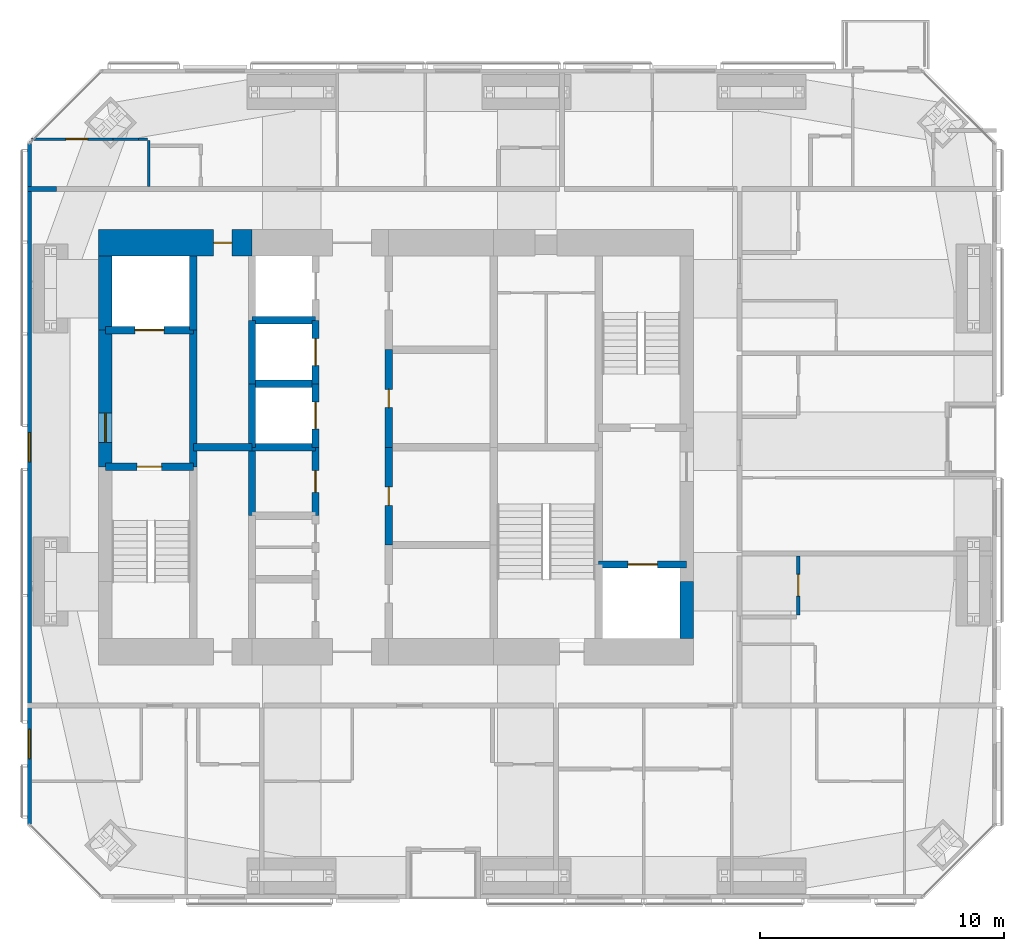
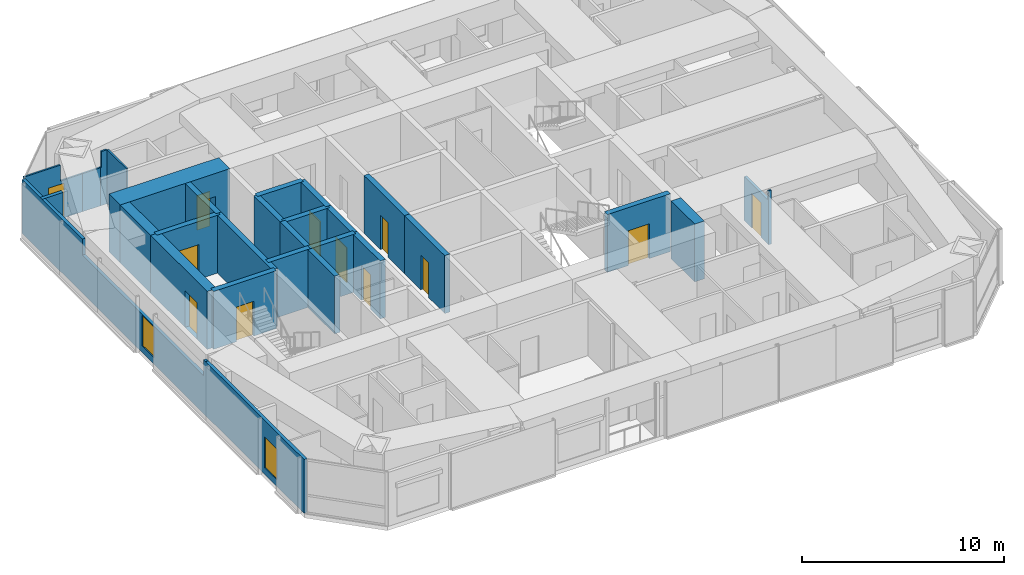
# One storey, part 15 of 19: 28 walls, 12 doors, 2 windows, 14 openings.
"""IFC4 building model written with IfcOpenShell, lengths in metres."""

from ifc_helpers import new_model, si_unit, direction, frame, frame_2d, origin, place, context, subcontext, project, spatial, polyline, rectangle, outline, extrude, material, layer, layer_set, constituent, constituent_set, type_object, element, fill, save


model = new_model("IFC4")

# Units and contexts
model_context = context("Model", 3, precision=1e-05, world=origin(), true_north=direction((0.0, 1.0)))
body_context = subcontext(model_context, "Body", "Model", "MODEL_VIEW")
ifc_project = project(units=[si_unit("LENGTHUNIT", "METRE"), si_unit("AREAUNIT", "SQUARE_METRE"), si_unit("VOLUMEUNIT", "CUBIC_METRE"), si_unit("PLANEANGLEUNIT", "RADIAN"), si_unit("MASSUNIT", "GRAM", prefix="KILO")], contexts=[model_context])

# Site, building, storey
site_placement = place(None, origin())
site = spatial("IfcSite", under=ifc_project, at=site_placement, CompositionType="ELEMENT")
building_placement = place(site_placement, origin())
building = spatial("IfcBuilding", under=site, at=building_placement, Name="Jalousie Tower", CompositionType="ELEMENT")
storey_placement = place(building_placement, frame((0.0, 0.0, 221.449951171875)))
storey = spatial("IfcBuildingStorey", under=building, at=storey_placement, Name="L60", CompositionType="ELEMENT", Elevation=221.449951171875)

# Wall, opening, door
ifc_material_1 = material(Name="Concrete block ASTM C90", Category="concrete")
ifc_constituent_1 = constituent(ifc_material_1, Name="Body")
ifc_material_2 = material(Name="Render")
ifc_constituent_2 = constituent(ifc_material_2, Name="Finish")
ifc_constituent_set_1 = constituent_set(constituents=[ifc_constituent_1, ifc_constituent_2])
wall_type_1 = type_object("IfcWallType", Name="BATHROOM WALL 150", PredefinedType="PLUMBINGWALL", material=ifc_constituent_set_1)
wall_1_placement = place(storey_placement, frame((48.375, 11.625, 0.0), z_axis=(0.0, 0.0, 1.0), x_axis=(0.0, 1.0, 0.0)))
wall_1 = element("IfcWall", 1, at=wall_1_placement, inside=storey, type_object=wall_type_1, Name="Bathroom Wall 150 L60", PredefinedType="PLUMBINGWALL", context=body_context, shape_type="SweptSolid", body=[
    extrude(outline(polyline([(0.0, 0.0), (2.425048828125, 0.0), (2.425048828125, 3.260009765625), (2.425048828125, 2.66015625), (0.090087890625, 2.66015625), (0.090087890625, 3.260009765625), (0.0, 3.260009765625), (0.0, 0.0)])), frame((0.0, 0.074951171875, 0.0), z_axis=(0.0, -1.0, 0.0), x_axis=(1.0, 0.0, 0.0)), (0.0, 0.0, 1.0), 0.14990234375),
])
opening_1_placement = place(wall_1_placement, frame((0.77490234375, 0.0, 0.0)))
opening_1 = element("IfcOpeningElement", 2, at=opening_1_placement, cuts=wall_1, Name="Opening D3", PredefinedType="OPENING", context=body_context, shape_type="SweptSolid", body=[
    extrude(rectangle(XDim=0.89990234375, YDim=2.10009765625, at=frame_2d((0.449951171875, 1.050048828125))), frame((0.0, 0.0849609375, 0.0), z_axis=(0.0, -1.0, 0.0), x_axis=(1.0, 0.0, 0.0)), (0.0, 0.0, 1.0), 0.169921875),
])
ifc_material_3 = material(Name="Timber door", Category="wood")
door_type_1 = type_object("IfcDoorType", Name="BATHROOM DOOR 900", OperationType="SINGLE_SWING_LEFT", PredefinedType="DOOR", material=ifc_material_3)
door_1_placement = place(opening_1_placement, origin())
door_1 = element("IfcDoor", 3, at=door_1_placement, inside=storey, type_object=door_type_1, Name="Apartment 6006 bathroom door", OperationType="SINGLE_SWING_RIGHT", OverallHeight=2.10009765625, OverallWidth=0.89990234375, PredefinedType="DOOR", context=body_context, shape_type="SweptSolid", body=[
    extrude(rectangle(XDim=0.89990234375, YDim=2.10009765625, at=frame_2d((0.449951171875, 1.050048828125))), frame((0.0, 0.02490234375, 0.0), z_axis=(0.0, -1.0, 0.0), x_axis=(1.0, 0.0, 0.0)), (0.0, 0.0, 1.0), 0.050048828125),
])
fill(opening_1, door_1)

ifc_material_4 = material(Name="Concrete f'c 120 MPa", Category="concrete")
ifc_layer_1 = layer(ifc_material_4, 1.10009765625)
ifc_layer_set_1 = layer_set([ifc_layer_1], Name="Concrete f'c 120 MPa")
wall_type_2 = type_object("IfcWallType", Name="CORE WALL 1100", PredefinedType="SHEAR", material=ifc_layer_set_1)
wall_2_placement = place(storey_placement, frame((26.0, 26.875, 0.0), z_axis=(0.0, 0.0, 1.0), x_axis=(-1.0, 0.0, 0.0)))
wall_2 = element("IfcWall", 4, at=wall_2_placement, inside=storey, type_object=wall_type_2, Name="Core wall ND L60", PredefinedType="SHEAR", context=body_context, shape_type="SweptSolid", body=[
    extrude(rectangle(XDim=6.27490234375, YDim=1.10009765625, at=frame_2d((3.137451171875, 0.0))), origin(), (0.0, 0.0, 1.0), 3.5),
])
opening_2_placement = place(wall_2_placement, frame((0.824951171875, 0.0, 0.0)))
opening_2 = element("IfcOpeningElement", 5, at=opening_2_placement, cuts=wall_2, Name="Opening D16", PredefinedType="OPENING", context=body_context, shape_type="SweptSolid", body=[
    extrude(rectangle(XDim=0.75, YDim=2.10009765625, at=frame_2d((0.375, 1.050048828125))), frame((0.0, 0.56005859375, 0.0), z_axis=(0.0, -1.0, 0.0), x_axis=(1.0, 0.0, 0.0)), (0.0, 0.0, 1.0), 1.1201171875),
])
ifc_material_5 = material(Name="Steel fire door", Category="steel")
door_type_2 = type_object("IfcDoorType", Name="RISER DOOR 750", OperationType="SINGLE_SWING_LEFT", PredefinedType="DOOR", material=ifc_material_5)
door_2_placement = place(opening_2_placement, origin())
door_2 = element("IfcDoor", 6, at=door_2_placement, inside=storey, type_object=door_type_2, Name="North riser door", OperationType="SINGLE_SWING_RIGHT", OverallHeight=2.10009765625, OverallWidth=0.75, PredefinedType="DOOR", context=body_context, shape_type="SweptSolid", body=[
    extrude(rectangle(XDim=0.75, YDim=2.10009765625, at=frame_2d((0.375, 1.050048828125))), frame((0.0, 0.02490234375, 0.0), z_axis=(0.0, -1.0, 0.0), x_axis=(1.0, 0.0, 0.0)), (0.0, 0.0, 1.0), 0.050048828125),
])
fill(opening_2, door_2)

# Walls
ifc_material_6 = material(Name="Concrete f'c 120 MPa", Category="concrete")
ifc_layer_2 = layer(ifc_material_6, 0.300048828125)
ifc_layer_set_2 = layer_set([ifc_layer_2], Name="Concrete f'c 120 MPa")
wall_type_3 = type_object("IfcWallType", Name="CORE WALL 300", PredefinedType="SHEAR", material=ifc_layer_set_2)
wall_3_placement = place(storey_placement, frame((23.60009765625, 17.699951171875, 0.0), z_axis=(0.0, 0.0, 1.0), x_axis=(0.0, 1.0, 0.0)))
element("IfcWall", 7, at=wall_3_placement, inside=storey, type_object=wall_type_3, Name="Core wall X23.6B L60", PredefinedType="SHEAR", context=body_context, shape_type="SweptSolid", body=[
    extrude(rectangle(XDim=5.60009765625, YDim=0.300048828125, at=frame_2d((2.800048828125, 0.0))), origin(), (0.0, 0.0, 1.0), 3.5),
])
wall_4_placement = place(storey_placement, frame((23.60009765625, 23.300048828125, 0.0), z_axis=(0.0, 0.0, 1.0), x_axis=(0.0, 1.0, 0.0)))
element("IfcWall", 8, at=wall_4_placement, inside=storey, type_object=wall_type_3, Name="Core wall X23.6C L60", PredefinedType="SHEAR", context=body_context, shape_type="SweptSolid", body=[
    extrude(rectangle(XDim=3.02490234375, YDim=0.300048828125, at=frame_2d((1.512451171875, 0.0))), origin(), (0.0, 0.0, 1.0), 3.5),
])
wall_5_placement = place(storey_placement, frame((26.0, 15.699951171875, 0.0), z_axis=(0.0, 0.0, 1.0), x_axis=(0.0, 1.0, 0.0)))
element("IfcWall", 9, at=wall_5_placement, inside=storey, type_object=wall_type_3, Name="Core wall X26C L60", PredefinedType="SHEAR", context=body_context, shape_type="SweptSolid", body=[
    extrude(rectangle(XDim=2.800048828125, YDim=0.300048828125, at=frame_2d((1.39990234375, 0.0))), origin(), (0.0, 0.0, 1.0), 3.5),
])
wall_6_placement = place(storey_placement, frame((26.0, 18.5, 0.0), z_axis=(0.0, 0.0, 1.0), x_axis=(0.0, 1.0, 0.0)))
element("IfcWall", 10, at=wall_6_placement, inside=storey, type_object=wall_type_3, Name="Core wall X26D L60", PredefinedType="SHEAR", context=body_context, shape_type="SweptSolid", body=[
    extrude(rectangle(XDim=2.60009765625, YDim=0.300048828125, at=frame_2d((1.300048828125, 0.0))), origin(), (0.0, 0.0, 1.0), 3.5),
])
wall_7_placement = place(storey_placement, frame((26.0, 21.10009765625, 0.0), z_axis=(0.0, 0.0, 1.0), x_axis=(0.0, 1.0, 0.0)))
element("IfcWall", 11, at=wall_7_placement, inside=storey, type_object=wall_type_3, Name="Core wall X26E L60", PredefinedType="SHEAR", context=body_context, shape_type="SweptSolid", body=[
    extrude(rectangle(XDim=2.599853515625, YDim=0.300048828125, at=frame_2d((1.2998046875, 0.0))), origin(), (0.0, 0.0, 1.0), 3.5),
])

# Wall, opening, door
wall_8_placement = place(storey_placement, frame((28.60009765625, 15.699951171875, 0.0), z_axis=(0.0, 0.0, 1.0), x_axis=(0.0, 1.0, 0.0)))
wall_8 = element("IfcWall", 12, at=wall_8_placement, inside=storey, type_object=wall_type_3, Name="Core wall X28.6C L60", PredefinedType="SHEAR", context=body_context, shape_type="SweptSolid", body=[
    extrude(rectangle(XDim=2.800048828125, YDim=0.300048828125, at=frame_2d((1.39990234375, 0.0))), origin(), (0.0, 0.0, 1.0), 3.5),
])
opening_3_placement = place(wall_8_placement, frame((0.949951171875, 0.0, 0.0)))
opening_3 = element("IfcOpeningElement", 13, at=opening_3_placement, cuts=wall_8, Name="Opening D24", PredefinedType="OPENING", context=body_context, shape_type="SweptSolid", body=[
    extrude(rectangle(XDim=0.89990234375, YDim=2.10009765625, at=frame_2d((0.449951171875, 1.050048828125))), frame((0.0, 0.159912109375, 0.0), z_axis=(0.0, -1.0, 0.0), x_axis=(1.0, 0.0, 0.0)), (0.0, 0.0, 1.0), 0.320068359375),
])
ifc_material_7 = material(Name="Steel fire door", Category="steel")
door_type_3 = type_object("IfcDoorType", Name="CORE ROOM DOOR 900", OperationType="SINGLE_SWING_LEFT", PredefinedType="DOOR", material=ifc_material_7)
door_3_placement = place(opening_3_placement, origin())
door_3 = element("IfcDoor", 14, at=door_3_placement, inside=storey, type_object=door_type_3, Name="Pantry door", OperationType="SINGLE_SWING_LEFT", OverallHeight=2.10009765625, OverallWidth=0.89990234375, PredefinedType="DOOR", context=body_context, shape_type="SweptSolid", body=[
    extrude(rectangle(XDim=0.89990234375, YDim=2.10009765625, at=frame_2d((0.449951171875, 1.050048828125))), frame((0.0, 0.02490234375, 0.0), z_axis=(0.0, -1.0, 0.0), x_axis=(1.0, 0.0, 0.0)), (0.0, 0.0, 1.0), 0.050048828125),
])
fill(opening_3, door_3)

wall_9_placement = place(storey_placement, frame((28.60009765625, 18.5, 0.0), z_axis=(0.0, 0.0, 1.0), x_axis=(0.0, 1.0, 0.0)))
wall_9 = element("IfcWall", 15, at=wall_9_placement, inside=storey, type_object=wall_type_3, Name="Core wall X28.6D L60", PredefinedType="SHEAR", context=body_context, shape_type="SweptSolid", body=[
    extrude(rectangle(XDim=2.60009765625, YDim=0.300048828125, at=frame_2d((1.300048828125, 0.0))), origin(), (0.0, 0.0, 1.0), 3.5),
])
opening_4_placement = place(wall_9_placement, frame((0.75, 0.0, 0.0)))
opening_4 = element("IfcOpeningElement", 16, at=opening_4_placement, cuts=wall_9, Name="Opening LD1", PredefinedType="OPENING", context=body_context, shape_type="SweptSolid", body=[
    extrude(rectangle(XDim=1.10009765625, YDim=2.10009765625, at=frame_2d((0.550048828125, 1.050048828125))), frame((0.0, 0.159912109375, 0.0), z_axis=(0.0, -1.0, 0.0), x_axis=(1.0, 0.0, 0.0)), (0.0, 0.0, 1.0), 0.320068359375),
])
ifc_material_8 = material(Name="Steel lift landing door", Category="steel")
door_type_4 = type_object("IfcDoorType", Name="LIFT LANDING DOOR 1100", OperationType="SLIDING_TO_LEFT", PredefinedType="DOOR", material=ifc_material_8)
door_4_placement = place(opening_4_placement, origin())
door_4 = element("IfcDoor", 17, at=door_4_placement, inside=storey, type_object=door_type_4, Name="Lift P4 landing door", OperationType="SLIDING_TO_LEFT", OverallHeight=2.10009765625, OverallWidth=1.10009765625, PredefinedType="DOOR", context=body_context, shape_type="SweptSolid", body=[
    extrude(rectangle(XDim=1.10009765625, YDim=2.10009765625, at=frame_2d((0.550048828125, 1.050048828125))), frame((0.0, 0.02490234375, 0.0), z_axis=(0.0, -1.0, 0.0), x_axis=(1.0, 0.0, 0.0)), (0.0, 0.0, 1.0), 0.050048828125),
])
fill(opening_4, door_4)

wall_10_placement = place(storey_placement, frame((28.60009765625, 21.10009765625, 0.0), z_axis=(0.0, 0.0, 1.0), x_axis=(0.0, 1.0, 0.0)))
wall_10 = element("IfcWall", 18, at=wall_10_placement, inside=storey, type_object=wall_type_3, Name="Core wall X28.6E L60", PredefinedType="SHEAR", context=body_context, shape_type="SweptSolid", body=[
    extrude(rectangle(XDim=2.599853515625, YDim=0.300048828125, at=frame_2d((1.2998046875, 0.0))), origin(), (0.0, 0.0, 1.0), 3.5),
])
opening_5_placement = place(wall_10_placement, frame((0.75, 0.0, 0.0)))
opening_5 = element("IfcOpeningElement", 19, at=opening_5_placement, cuts=wall_10, Name="Opening LD1", PredefinedType="OPENING", context=body_context, shape_type="SweptSolid", body=[
    extrude(rectangle(XDim=1.10009765625, YDim=2.10009765625, at=frame_2d((0.550048828125, 1.050048828125))), frame((0.0, 0.159912109375, 0.0), z_axis=(0.0, -1.0, 0.0), x_axis=(1.0, 0.0, 0.0)), (0.0, 0.0, 1.0), 0.320068359375),
])
door_5_placement = place(opening_5_placement, origin())
door_5 = element("IfcDoor", 20, at=door_5_placement, inside=storey, type_object=door_type_4, Name="Lift P5 landing door", OperationType="SLIDING_TO_LEFT", OverallHeight=2.10009765625, OverallWidth=1.10009765625, PredefinedType="DOOR", context=body_context, shape_type="SweptSolid", body=[
    extrude(rectangle(XDim=1.10009765625, YDim=2.10009765625, at=frame_2d((0.550048828125, 1.050048828125))), frame((0.0, 0.02490234375, 0.0), z_axis=(0.0, -1.0, 0.0), x_axis=(1.0, 0.0, 0.0)), (0.0, 0.0, 1.0), 0.050048828125),
])
fill(opening_5, door_5)

wall_11_placement = place(storey_placement, frame((31.60009765625, 14.5, 0.0), z_axis=(0.0, 0.0, 1.0), x_axis=(0.0, 1.0, 0.0)))
wall_11 = element("IfcWall", 21, at=wall_11_placement, inside=storey, type_object=wall_type_3, Name="Core wall X31.6B L60", PredefinedType="SHEAR", context=body_context, shape_type="SweptSolid", body=[
    extrude(rectangle(XDim=4.0, YDim=0.300048828125, at=frame_2d((2.0, 0.0))), origin(), (0.0, 0.0, 1.0), 3.5),
])
opening_6_placement = place(wall_11_placement, frame((1.625, 0.0, 0.0)))
opening_6 = element("IfcOpeningElement", 22, at=opening_6_placement, cuts=wall_11, Name="Opening D16", PredefinedType="OPENING", context=body_context, shape_type="SweptSolid", body=[
    extrude(rectangle(XDim=0.75, YDim=2.10009765625, at=frame_2d((0.375, 1.050048828125))), frame((0.0, 0.159912109375, 0.0), z_axis=(0.0, -1.0, 0.0), x_axis=(1.0, 0.0, 0.0)), (0.0, 0.0, 1.0), 0.320068359375),
])
door_6_placement = place(opening_6_placement, frame((0.75, 0.0, 0.0), z_axis=(0.0, 0.0, 1.0), x_axis=(-1.0, 0.0, 0.0)))
door_6 = element("IfcDoor", 23, at=door_6_placement, inside=storey, type_object=door_type_2, Name="Electrical Room door", OperationType="SINGLE_SWING_RIGHT", OverallHeight=2.10009765625, OverallWidth=0.75, PredefinedType="DOOR", context=body_context, shape_type="SweptSolid", body=[
    extrude(rectangle(XDim=0.75, YDim=2.10009765625, at=frame_2d((0.375, 1.050048828125))), frame((0.0, 0.02490234375, 0.0), z_axis=(0.0, -1.0, 0.0), x_axis=(1.0, 0.0, 0.0)), (0.0, 0.0, 1.0), 0.050048828125),
])
fill(opening_6, door_6)

wall_12_placement = place(storey_placement, frame((31.60009765625, 18.5, 0.0), z_axis=(0.0, 0.0, 1.0), x_axis=(0.0, 1.0, 0.0)))
wall_12 = element("IfcWall", 24, at=wall_12_placement, inside=storey, type_object=wall_type_3, Name="Core wall X31.6C L60", PredefinedType="SHEAR", context=body_context, shape_type="SweptSolid", body=[
    extrude(rectangle(XDim=4.0, YDim=0.300048828125, at=frame_2d((2.0, 0.0))), origin(), (0.0, 0.0, 1.0), 3.5),
])
opening_7_placement = place(wall_12_placement, frame((1.625, 0.0, 0.0)))
opening_7 = element("IfcOpeningElement", 25, at=opening_7_placement, cuts=wall_12, Name="Opening D16", PredefinedType="OPENING", context=body_context, shape_type="SweptSolid", body=[
    extrude(rectangle(XDim=0.75, YDim=2.10009765625, at=frame_2d((0.375, 1.050048828125))), frame((0.0, 0.159912109375, 0.0), z_axis=(0.0, -1.0, 0.0), x_axis=(1.0, 0.0, 0.0)), (0.0, 0.0, 1.0), 0.320068359375),
])
door_7_placement = place(opening_7_placement, frame((0.75, 0.0, 0.0), z_axis=(0.0, 0.0, 1.0), x_axis=(-1.0, 0.0, 0.0)))
door_7 = element("IfcDoor", 26, at=door_7_placement, inside=storey, type_object=door_type_2, Name="Telecom Room door", OperationType="SINGLE_SWING_RIGHT", OverallHeight=2.10009765625, OverallWidth=0.75, PredefinedType="DOOR", context=body_context, shape_type="SweptSolid", body=[
    extrude(rectangle(XDim=0.75, YDim=2.10009765625, at=frame_2d((0.375, 1.050048828125))), frame((0.0, 0.02490234375, 0.0), z_axis=(0.0, -1.0, 0.0), x_axis=(1.0, 0.0, 0.0)), (0.0, 0.0, 1.0), 0.050048828125),
])
fill(opening_7, door_7)

wall_13_placement = place(storey_placement, frame((20.0, 17.699951171875, 0.0), z_axis=(0.0, 0.0, 1.0), x_axis=(1.0, 0.0, 0.0)))
wall_13 = element("IfcWall", 27, at=wall_13_placement, inside=storey, type_object=wall_type_3, Name="Core wall Y20-17.7 L60", PredefinedType="SHEAR", context=body_context, shape_type="SweptSolid", body=[
    extrude(rectangle(XDim=3.60009765625, YDim=0.300048828125, at=frame_2d((1.800048828125, 0.0))), origin(), (0.0, 0.0, 1.0), 3.5),
])
opening_8_placement = place(wall_13_placement, frame((1.300048828125, 0.0, 0.0)))
opening_8 = element("IfcOpeningElement", 28, at=opening_8_placement, cuts=wall_13, Name="Opening D10", PredefinedType="OPENING", context=body_context, shape_type="SweptSolid", body=[
    extrude(rectangle(XDim=1.0, YDim=2.10009765625, at=frame_2d((0.5, 1.050048828125))), frame((0.0, 0.159912109375, 0.0), z_axis=(0.0, -1.0, 0.0), x_axis=(1.0, 0.0, 0.0)), (0.0, 0.0, 1.0), 0.320068359375),
])
ifc_material_9 = material(Name="Steel fire door", Category="steel")
door_type_5 = type_object("IfcDoorType", Name="STAIR DOOR 1000", OperationType="SINGLE_SWING_LEFT", PredefinedType="DOOR", material=ifc_material_9)
door_8_placement = place(opening_8_placement, frame((1.0, 0.0, 0.0), z_axis=(0.0, 0.0, 1.0), x_axis=(-1.0, 0.0, 0.0)))
door_8 = element("IfcDoor", 29, at=door_8_placement, inside=storey, type_object=door_type_5, Name="Exit stair A door", OperationType="SINGLE_SWING_RIGHT", OverallHeight=2.10009765625, OverallWidth=1.0, PredefinedType="DOOR", context=body_context, shape_type="SweptSolid", body=[
    extrude(rectangle(XDim=1.0, YDim=2.10009765625, at=frame_2d((0.5, 1.050048828125))), frame((0.0, 0.02490234375, 0.0), z_axis=(0.0, -1.0, 0.0), x_axis=(1.0, 0.0, 0.0)), (0.0, 0.0, 1.0), 0.050048828125),
])
fill(opening_8, door_8)

wall_14_placement = place(storey_placement, frame((20.0, 23.300048828125, 0.0), z_axis=(0.0, 0.0, 1.0), x_axis=(1.0, 0.0, 0.0)))
wall_14 = element("IfcWall", 30, at=wall_14_placement, inside=storey, type_object=wall_type_3, Name="Core wall Y20-23.3 L60", PredefinedType="SHEAR", context=body_context, shape_type="SweptSolid", body=[
    extrude(rectangle(XDim=3.60009765625, YDim=0.300048828125, at=frame_2d((1.800048828125, 0.0))), origin(), (0.0, 0.0, 1.0), 3.5),
])
opening_9_placement = place(wall_14_placement, frame((1.199951171875, 0.0, 0.0)))
opening_9 = element("IfcOpeningElement", 31, at=opening_9_placement, cuts=wall_14, Name="Opening LD2", PredefinedType="OPENING", context=body_context, shape_type="SweptSolid", body=[
    extrude(rectangle(XDim=1.199951171875, YDim=2.10009765625, at=frame_2d((0.60009765625, 1.050048828125))), frame((0.0, 0.159912109375, 0.0), z_axis=(0.0, -1.0, 0.0), x_axis=(1.0, 0.0, 0.0)), (0.0, 0.0, 1.0), 0.320068359375),
])
ifc_material_10 = material(Name="Steel lift landing door", Category="steel")
door_type_6 = type_object("IfcDoorType", Name="LIFT LANDING DOOR 1200", OperationType="SLIDING_TO_LEFT", PredefinedType="DOOR", material=ifc_material_10)
door_9_placement = place(opening_9_placement, origin())
door_9 = element("IfcDoor", 32, at=door_9_placement, inside=storey, type_object=door_type_6, Name="Lift F1 landing door", OperationType="SLIDING_TO_LEFT", OverallHeight=2.10009765625, OverallWidth=1.199951171875, PredefinedType="DOOR", context=body_context, shape_type="SweptSolid", body=[
    extrude(rectangle(XDim=1.199951171875, YDim=2.10009765625, at=frame_2d((0.60009765625, 1.050048828125))), frame((0.0, 0.02490234375, 0.0), z_axis=(0.0, -1.0, 0.0), x_axis=(1.0, 0.0, 0.0)), (0.0, 0.0, 1.0), 0.050048828125),
])
fill(opening_9, door_9)

# Walls
wall_15_placement = place(storey_placement, frame((23.60009765625, 18.5, 0.0), z_axis=(0.0, 0.0, 1.0), x_axis=(1.0, 0.0, 0.0)))
element("IfcWall", 33, at=wall_15_placement, inside=storey, type_object=wall_type_3, Name="Core wall Y23.6-18.5 L60", PredefinedType="SHEAR", context=body_context, shape_type="SweptSolid", body=[
    extrude(rectangle(XDim=2.39990234375, YDim=0.300048828125, at=frame_2d((1.199951171875, 0.0))), origin(), (0.0, 0.0, 1.0), 3.5),
])
for number, where, z_axis, x_axis, name in (
    (34, (26.0, 18.5, 0.0), (0.0, 0.0, 1.0), (1.0, 0.0, 0.0), "Core wall Y26-18.5 L60"),
    (35, (26.0, 21.10009765625, 0.0), (0.0, 0.0, 1.0), (1.0, 0.0, 0.0), "Core wall Y26-21.1 L60"),
    (36, (26.0, 23.699951171875, 0.0), (0.0, 0.0, 1.0), (1.0, 0.0, 0.0), "Core wall Y26-23.7 L60"),
):
    element("IfcWall", number, at=place(storey_placement, frame(where, z_axis=z_axis, x_axis=x_axis)), inside=storey, type_object=wall_type_3, Name=name, PredefinedType="SHEAR", context=body_context, shape_type="SweptSolid", body=[
        extrude(rectangle(XDim=2.60009765625, YDim=0.300048828125, at=frame_2d((1.300048828125, 0.0))), origin(), (0.0, 0.0, 1.0), 3.5),
    ])

# Wall, opening, door
wall_16_placement = place(storey_placement, frame((40.199951171875, 13.699951171875, 0.0), z_axis=(0.0, 0.0, 1.0), x_axis=(1.0, 0.0, 0.0)))
wall_16 = element("IfcWall", 37, at=wall_16_placement, inside=storey, type_object=wall_type_3, Name="Core wall Y40.2-13.7 L60", PredefinedType="SHEAR", context=body_context, shape_type="SweptSolid", body=[
    extrude(rectangle(XDim=3.60009765625, YDim=0.300048828125, at=frame_2d((1.800048828125, 0.0))), origin(), (0.0, 0.0, 1.0), 3.5),
])
opening_10_placement = place(wall_16_placement, frame((1.199951171875, 0.0, 0.0)))
opening_10 = element("IfcOpeningElement", 38, at=opening_10_placement, cuts=wall_16, Name="Opening LD2", PredefinedType="OPENING", context=body_context, shape_type="SweptSolid", body=[
    extrude(rectangle(XDim=1.199951171875, YDim=2.10009765625, at=frame_2d((0.60009765625, 1.050048828125))), frame((0.0, 0.159912109375, 0.0), z_axis=(0.0, -1.0, 0.0), x_axis=(1.0, 0.0, 0.0)), (0.0, 0.0, 1.0), 0.320068359375),
])
door_10_placement = place(opening_10_placement, origin())
door_10 = element("IfcDoor", 39, at=door_10_placement, inside=storey, type_object=door_type_6, Name="Lift F2 landing door", OperationType="SLIDING_TO_LEFT", OverallHeight=2.10009765625, OverallWidth=1.199951171875, PredefinedType="DOOR", context=body_context, shape_type="SweptSolid", body=[
    extrude(rectangle(XDim=1.199951171875, YDim=2.10009765625, at=frame_2d((0.60009765625, 1.050048828125))), frame((0.0, 0.02490234375, 0.0), z_axis=(0.0, -1.0, 0.0), x_axis=(1.0, 0.0, 0.0)), (0.0, 0.0, 1.0), 0.050048828125),
])
fill(opening_10, door_10)

# Wall
ifc_material_11 = material(Name="Concrete f'c 120 MPa", Category="concrete")
ifc_layer_3 = layer(ifc_material_11, 0.550048828125)
ifc_layer_set_3 = layer_set([ifc_layer_3], Name="Concrete f'c 120 MPa")
wall_type_4 = type_object("IfcWallType", Name="CORE WALL 550", PredefinedType="SHEAR", material=ifc_layer_set_3)
wall_17_placement = place(storey_placement, frame((20.0, 26.324951171875, 0.0), z_axis=(0.0, 0.0, 1.0), x_axis=(0.0, -1.0, 0.0)))
element("IfcWall", 40, at=wall_17_placement, inside=storey, type_object=wall_type_4, Name="Core wall WA L60", PredefinedType="SHEAR", context=body_context, shape_type="SweptSolid", body=[
    extrude(rectangle(XDim=3.02490234375, YDim=0.550048828125, at=frame_2d((1.512451171875, 0.0))), origin(), (0.0, 0.0, 1.0), 3.5),
])

# Wall, opening, door
wall_18_placement = place(storey_placement, frame((20.0, 23.300048828125, 0.0), z_axis=(0.0, 0.0, 1.0), x_axis=(0.0, -1.0, 0.0)))
wall_18 = element("IfcWall", 41, at=wall_18_placement, inside=storey, type_object=wall_type_4, Name="Core wall WB L60", PredefinedType="SHEAR", context=body_context, shape_type="SweptSolid", body=[
    extrude(rectangle(XDim=5.60009765625, YDim=0.550048828125, at=frame_2d((2.800048828125, 0.0))), origin(), (0.0, 0.0, 1.0), 3.5),
])
opening_11_placement = place(wall_18_placement, frame((3.39990234375, 0.0, 0.0)))
opening_11 = element("IfcOpeningElement", 42, at=opening_11_placement, cuts=wall_18, Name="Opening D11", PredefinedType="OPENING", context=body_context, shape_type="SweptSolid", body=[
    extrude(rectangle(XDim=1.199951171875, YDim=2.199951171875, at=frame_2d((0.60009765625, 1.10009765625))), frame((0.0, 0.284912109375, 0.0), z_axis=(0.0, -1.0, 0.0), x_axis=(1.0, 0.0, 0.0)), (0.0, 0.0, 1.0), 0.570068359375),
])
ifc_material_12 = material(Name="Steel fire door", Category="steel")
door_type_7 = type_object("IfcDoorType", Name="FIRE DOOR 1200", OperationType="SINGLE_SWING_LEFT", PredefinedType="DOOR", material=ifc_material_12)
door_11_placement = place(opening_11_placement, origin())
door_11 = element("IfcDoor", 43, at=door_11_placement, inside=storey, type_object=door_type_7, Name="Fire-fighting lobby A door", OperationType="SINGLE_SWING_RIGHT", OverallHeight=2.199951171875, OverallWidth=1.199951171875, PredefinedType="DOOR", context=body_context, shape_type="SweptSolid", body=[
    extrude(rectangle(XDim=1.199951171875, YDim=2.199951171875, at=frame_2d((0.60009765625, 1.10009765625))), frame((0.0, 0.02490234375, 0.0), z_axis=(0.0, -1.0, 0.0), x_axis=(1.0, 0.0, 0.0)), (0.0, 0.0, 1.0), 0.050048828125),
])
fill(opening_11, door_11)

# Wall
wall_19_placement = place(storey_placement, frame((43.800048828125, 10.675048828125, 0.0), z_axis=(0.0, 0.0, 1.0), x_axis=(0.0, 1.0, 0.0)))
element("IfcWall", 44, at=wall_19_placement, inside=storey, type_object=wall_type_4, Name="Core wall EA L60", PredefinedType="SHEAR", context=body_context, shape_type="SweptSolid", body=[
    extrude(rectangle(XDim=2.324951171875, YDim=0.550048828125, at=frame_2d((1.16259765625, 0.0))), origin(), (0.0, 0.0, 1.0), 3.5),
])

# Wall, openings, windows
ifc_material_13 = material(Name="Concrete f'c 40 MPa", Category="concrete")
ifc_constituent_3 = constituent(ifc_material_13, Name="Body")
ifc_material_14 = material(Name="Render, pastel sky blue")
ifc_constituent_4 = constituent(ifc_material_14, Name="Finish")
ifc_constituent_set_2 = constituent_set(constituents=[ifc_constituent_3, ifc_constituent_4])
wall_type_5 = type_object("IfcWallType", Name="EXTERNAL WALL 175 SKY BLUE RENDER", PredefinedType="SOLIDWALL", material=ifc_constituent_set_2)
wall_20_placement = place(storey_placement, frame((16.887451171875, 30.94873046875, 0.0), z_axis=(0.0, 0.0, 1.0), x_axis=(0.0, -1.0, 0.0)))
wall_20 = element("IfcWall", 45, at=wall_20_placement, inside=storey, type_object=wall_type_5, Name="External Wall 175 Sky Blue Render L60", PredefinedType="SOLIDWALL", context=body_context, shape_type="SweptSolid", body=[
    extrude(outline(polyline([(0.0, 0.0), (27.8974609375, 0.0), (27.8974609375, 3.260009765625), (18.1484375, 3.260009765625), (18.1484375, 2.300048828125), (18.125, 2.300048828125), (18.125, 3.260009765625), (17.94873046875, 3.260009765625), (17.94873046875, 2.300048828125), (5.94873046875, 2.300048828125), (5.94873046875, 3.260009765625), (0.0, 3.260009765625), (0.0, 0.0)])), frame((0.0, 0.08740234375, 0.0), z_axis=(0.0, -1.0, 0.0), x_axis=(1.0, 0.0, 0.0)), (0.0, 0.0, 1.0), 0.175048828125),
])
opening_12_placement = place(wall_20_placement, frame((11.8486328125, 0.0, 0.39990234375)))
opening_12 = element("IfcOpeningElement", 46, at=opening_12_placement, cuts=wall_20, Name="Opening W-COR185", PredefinedType="OPENING", context=body_context, shape_type="SweptSolid", body=[
    extrude(rectangle(XDim=1.199951171875, YDim=1.85009765625, at=frame_2d((0.60009765625, 0.925048828125))), frame((0.0, 0.097412109375, 0.0), z_axis=(0.0, -1.0, 0.0), x_axis=(1.0, 0.0, 0.0)), (0.0, 0.0, 1.0), 0.195068359375),
])
opening_13_placement = place(wall_20_placement, frame((23.998779296875, 0.0, 0.39990234375)))
opening_13 = element("IfcOpeningElement", 47, at=opening_13_placement, cuts=wall_20, Name="Opening W-COR185", PredefinedType="OPENING", context=body_context, shape_type="SweptSolid", body=[
    extrude(rectangle(XDim=1.199951171875, YDim=1.85009765625, at=frame_2d((0.60009765625, 0.925048828125))), frame((0.0, 0.097412109375, 0.0), z_axis=(0.0, -1.0, 0.0), x_axis=(1.0, 0.0, 0.0)), (0.0, 0.0, 1.0), 0.195068359375),
])
ifc_material_15 = material(Name="Aluminium frame, impact-rated glazing", Category="aluminium")
window_type = type_object("IfcWindowType", Name="WINDOW COR 1200x1850", PartitioningType="SINGLE_PANEL", PredefinedType="WINDOW", material=ifc_material_15)
window_1_placement = place(opening_12_placement, origin())
window_1 = element("IfcWindow", 48, at=window_1_placement, inside=storey, type_object=window_type, Name="Corridor window", OverallHeight=1.85009765625, OverallWidth=1.199951171875, PartitioningType="SINGLE_PANEL", PredefinedType="WINDOW", context=body_context, shape_type="SweptSolid", body=[
    extrude(rectangle(XDim=1.199951171875, YDim=1.85009765625, at=frame_2d((0.60009765625, 0.925048828125))), frame((0.0, 0.030029296875, 0.0), z_axis=(0.0, -1.0, 0.0), x_axis=(1.0, 0.0, 0.0)), (0.0, 0.0, 1.0), 0.06005859375),
])
fill(opening_12, window_1)
window_2_placement = place(opening_13_placement, origin())
window_2 = element("IfcWindow", 49, at=window_2_placement, inside=storey, type_object=window_type, Name="Apartment 6001 kitchen window", OverallHeight=1.85009765625, OverallWidth=1.199951171875, PartitioningType="SINGLE_PANEL", PredefinedType="WINDOW", context=body_context, shape_type="SweptSolid", body=[
    extrude(rectangle(XDim=1.199951171875, YDim=1.85009765625, at=frame_2d((0.60009765625, 0.925048828125))), frame((0.0, 0.030029296875, 0.0), z_axis=(0.0, -1.0, 0.0), x_axis=(1.0, 0.0, 0.0)), (0.0, 0.0, 1.0), 0.06005859375),
])
fill(opening_13, window_2)

# Wall, opening, door
ifc_material_16 = material(Name="Gypsum board", Category="gypsum")
ifc_constituent_5 = constituent(ifc_material_16, Name="Body")
ifc_material_17 = material(Name="Light-gauge steel studs ASTM A653 SS Grade 33", Category="steel")
ifc_constituent_6 = constituent(ifc_material_17, Name="Framing")
ifc_constituent_set_3 = constituent_set(constituents=[ifc_constituent_5, ifc_constituent_6])
wall_type_6 = type_object("IfcWallType", Name="PARTITION 100", PredefinedType="PARTITIONING", material=ifc_constituent_set_3)
wall_21_placement = place(storey_placement, frame((16.97509765625, 31.125, 0.0), z_axis=(0.0, 0.0, 1.0), x_axis=(1.0, 0.0, 0.0)))
wall_21 = element("IfcWall", 50, at=wall_21_placement, inside=storey, type_object=wall_type_6, Name="Partition 100 L60-A", PredefinedType="PARTITIONING", context=body_context, shape_type="SweptSolid", body=[
    extrude(outline(polyline([(0.0, 0.0), (3.336669921875, 0.0), (3.3369140625, 2.300048828125), (2.075927734375, 2.300048828125), (2.075927734375, 3.260009765625), (0.0, 3.260009765625), (0.0, 0.0)])), frame((0.0, 0.050048828125, 0.0), z_axis=(0.0, -1.0, 0.0), x_axis=(1.0, 0.0, 0.0)), (0.0, 0.0, 1.0), 0.10009765625),
])
opening_14_placement = place(wall_21_placement, frame((1.39990234375, 0.0, 0.0)))
opening_14 = element("IfcOpeningElement", 51, at=opening_14_placement, cuts=wall_21, Name="Opening D7", PredefinedType="OPENING", context=body_context, shape_type="SweptSolid", body=[
    extrude(rectangle(XDim=0.89990234375, YDim=2.10009765625, at=frame_2d((0.449951171875, 1.050048828125))), frame((0.0, 0.06005859375, 0.0), z_axis=(0.0, -1.0, 0.0), x_axis=(1.0, 0.0, 0.0)), (0.0, 0.0, 1.0), 0.1201171875),
])
ifc_material_18 = material(Name="Timber door", Category="wood")
door_type_8 = type_object("IfcDoorType", Name="INTERNAL DOOR 900", OperationType="SINGLE_SWING_LEFT", PredefinedType="DOOR", material=ifc_material_18)
door_12_placement = place(opening_14_placement, frame((0.89990234375, 0.0, 0.0), z_axis=(0.0, 0.0, 1.0), x_axis=(-1.0, 0.0, 0.0)))
door_12 = element("IfcDoor", 52, at=door_12_placement, inside=storey, type_object=door_type_8, Name="Apartment 6004 kitchen door", OperationType="SINGLE_SWING_RIGHT", OverallHeight=2.10009765625, OverallWidth=0.89990234375, PredefinedType="DOOR", context=body_context, shape_type="SweptSolid", body=[
    extrude(rectangle(XDim=0.89990234375, YDim=2.10009765625, at=frame_2d((0.449951171875, 1.050048828125))), frame((0.0, 0.02490234375, 0.0), z_axis=(0.0, -1.0, 0.0), x_axis=(1.0, 0.0, 0.0)), (0.0, 0.0, 1.0), 0.050048828125),
])
fill(opening_14, door_12)

# Walls
wall_22_placement = place(storey_placement, frame((20.311767578125, 31.125, 0.0), z_axis=(0.0, 0.0, 1.0), x_axis=(1.0, 0.0, 0.0)))
element("IfcWall", 53, at=wall_22_placement, inside=storey, type_object=wall_type_6, Name="Partition 100 L60-B", PredefinedType="PARTITIONING", context=body_context, shape_type="SweptSolid", body=[
    extrude(rectangle(XDim=1.037109375, YDim=0.10009765625, at=frame_2d((0.5185546875, 0.0))), origin(), (0.0, 0.0, 1.0), 2.300048828125),
])
wall_23_placement = place(storey_placement, frame((21.348876953125, 31.125, 0.0), z_axis=(0.0, 0.0, 1.0), x_axis=(1.0, 0.0, 0.0)))
element("IfcWall", 54, at=wall_23_placement, inside=storey, type_object=wall_type_6, Name="Partition 100 L60-C", PredefinedType="PARTITIONING", context=body_context, shape_type="SweptSolid", body=[
    extrude(outline(polyline([(0.0, 0.0), (0.376220703125, 0.0), (0.376220703125, 3.260009765625), (0.064208984375, 3.260009765625), (0.064208984375, 2.300048828125), (0.0, 2.300048828125), (0.0, 0.0)])), frame((0.0, 0.050048828125, 0.0), z_axis=(0.0, -1.0, 0.0), x_axis=(1.0, 0.0, 0.0)), (0.0, 0.0, 1.0), 0.10009765625),
])
wall_24_placement = place(storey_placement, frame((21.77490234375, 31.074951171875, 0.0), z_axis=(0.0, 0.0, 1.0), x_axis=(0.0, -1.0, 0.0)))
element("IfcWall", 55, at=wall_24_placement, inside=storey, type_object=wall_type_6, Name="Partition 100 L60", PredefinedType="PARTITIONING", context=body_context, shape_type="SweptSolid", body=[
    extrude(rectangle(XDim=1.89990234375, YDim=0.10009765625, at=frame_2d((0.949951171875, 0.0))), origin(), (0.0, 0.0, 1.0), 3.260009765625),
])
ifc_material_19 = material(Name="Concrete block ASTM C90", Category="concrete")
ifc_constituent_7 = constituent(ifc_material_19, Name="Body")
ifc_material_20 = material(Name="Render")
ifc_constituent_8 = constituent(ifc_material_20, Name="Finish")
ifc_constituent_set_4 = constituent_set(constituents=[ifc_constituent_7, ifc_constituent_8])
wall_type_7 = type_object("IfcWallType", Name="PARTY WALL 200", PredefinedType="PARTITIONING", material=ifc_constituent_set_4)
wall_25_placement = place(storey_placement, frame((16.800048828125, 29.074951171875, 0.0), z_axis=(0.0, 0.0, 1.0), x_axis=(1.0, 0.0, 0.0)))
element("IfcWall", 56, at=wall_25_placement, inside=storey, type_object=wall_type_7, Name="Party Wall 200 L60", PredefinedType="PARTITIONING", context=body_context, shape_type="SweptSolid", body=[
    extrude(rectangle(XDim=1.199951171875, YDim=0.199951171875, at=frame_2d((0.60009765625, 0.0))), origin(), (0.0, 0.0, 1.0), 3.260009765625),
])

save(model, "model.ifc")
